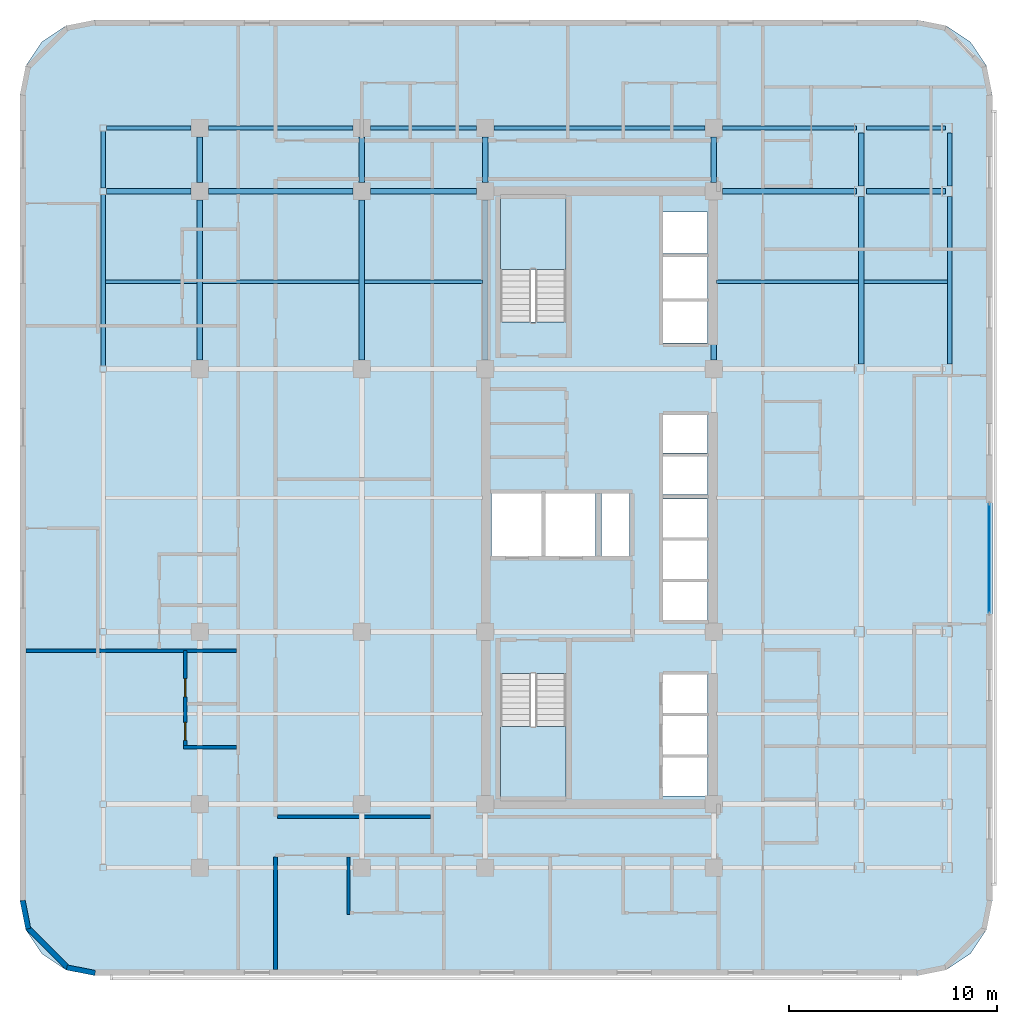
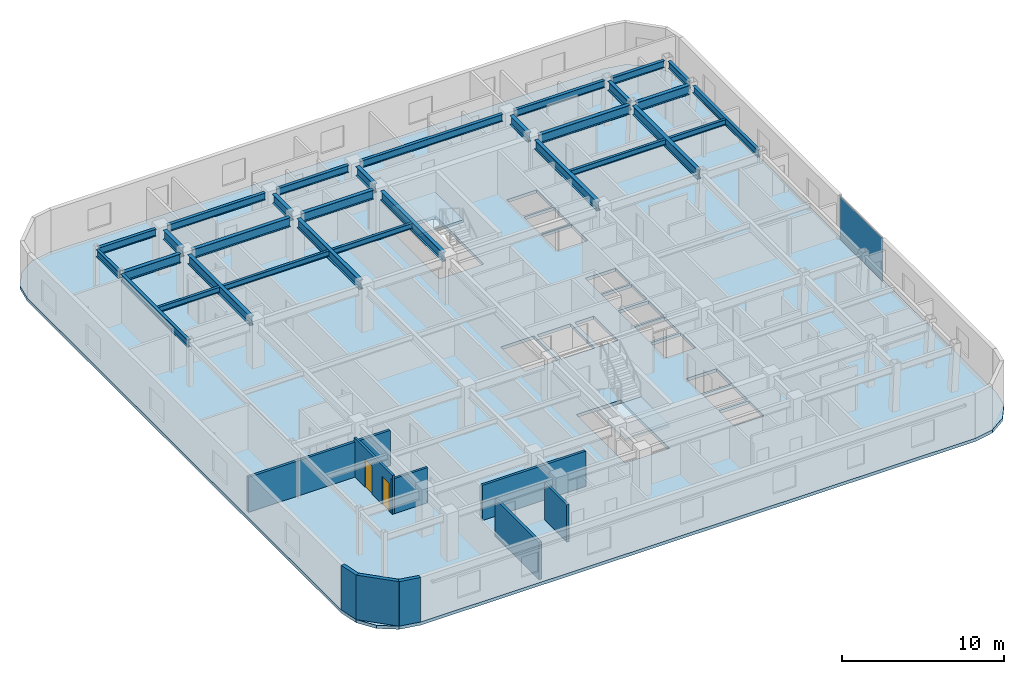
# One storey, part 6 of 15: 30 beams, 9 walls, 3 slabs, 2 doors, 1 plate, 2 openings, 3 elements without a shape of their own.
"""IFC4 building model written with IfcOpenShell, lengths in metres."""

from ifc_helpers import new_model, si_unit, direction, frame, frame_2d, origin, origin_2d, place, context, subcontext, project, spatial, polyline, rectangle, i_section, outline, extrude, material, layer, layer_set, material_profile, profile_set, type_object, element, fill, aggregate, save


model = new_model("IFC4")

# Units and contexts
model_context = context("Model", 3, precision=1e-05, world=origin(), true_north=direction((0.0, 1.0)))
body_context = subcontext(model_context, "Body", "Model", "MODEL_VIEW")
ifc_project = project(units=[si_unit("LENGTHUNIT", "METRE"), si_unit("AREAUNIT", "SQUARE_METRE"), si_unit("VOLUMEUNIT", "CUBIC_METRE"), si_unit("PLANEANGLEUNIT", "RADIAN"), si_unit("MASSUNIT", "GRAM", prefix="KILO")], contexts=[model_context])

# Site, building, storey
site_placement = place(None, origin())
site = spatial("IfcSite", under=ifc_project, at=site_placement, CompositionType="ELEMENT")
building_placement = place(site_placement, origin())
building = spatial("IfcBuilding", under=site, at=building_placement, Name="Ochreholt Gables", CompositionType="ELEMENT")
storey_placement = place(building_placement, frame((0.0, 0.0, 64.199951171875)))
storey = spatial("IfcBuildingStorey", under=building, at=storey_placement, Name="L16", CompositionType="ELEMENT", Elevation=64.199951171875)

# Beams
ifc_material_1 = material(Name="Steel CSA G40.21 350W", Category="steel")
ifc_material_profile_1 = material_profile(ifc_material_1, i_section(OverallWidth=0.256103515625, OverallDepth=0.693115234375, WebThickness=0.014404296875, FlangeThickness=0.023681640625, at=origin_2d()), Name="W690X170")
ifc_profile_set_1 = profile_set([ifc_material_profile_1], Name="Steel CSA G40.21 350W")
beam_type_1 = type_object("IfcBeamType", Name="BM-G-W690", PredefinedType="BEAM", material=ifc_profile_set_1)
beam_1_placement = place(storey_placement, frame((5.9521484375, 38.75, 3.013427734375), z_axis=(1.0, 0.0, 0.0), x_axis=(0.0, 1.0, 0.0)))
element("IfcBeam", 1, at=beam_1_placement, inside=storey, type_object=beam_type_1, Name="L16 Beam TBG-L16-WTW2-Y5", PredefinedType="BEAM", context=body_context, shape_type="SweptSolid", body=[
    extrude(i_section(OverallWidth=0.256103515625, OverallDepth=0.693115234375, WebThickness=0.014404296875, FlangeThickness=0.023681640625, at=origin_2d()), origin(), (0.0, 0.0, 1.0), 4.0732421875),
])
beam_2_placement = place(storey_placement, frame((10.87451171875, 38.75, 3.013427734375), z_axis=(1.0, 0.0, 0.0), x_axis=(0.0, 1.0, 0.0)))
element("IfcBeam", 2, at=beam_2_placement, inside=storey, type_object=beam_type_1, Name="L16 Beam TBG-L16-W2W3-Y5", PredefinedType="BEAM", context=body_context, shape_type="SweptSolid", body=[
    extrude(i_section(OverallWidth=0.256103515625, OverallDepth=0.693115234375, WebThickness=0.014404296875, FlangeThickness=0.023681640625, at=origin_2d()), origin(), (0.0, 0.0, 1.0), 6.950927734375),
])
beam_3_placement = place(storey_placement, frame((18.674560546875, 38.75, 3.013427734375), z_axis=(1.0, 0.0, 0.0), x_axis=(0.0, 1.0, 0.0)))
element("IfcBeam", 3, at=beam_3_placement, inside=storey, type_object=beam_type_1, Name="L16 Beam TBG-L16-W3C1-Y5", PredefinedType="BEAM", context=body_context, shape_type="SweptSolid", body=[
    extrude(i_section(OverallWidth=0.256103515625, OverallDepth=0.693115234375, WebThickness=0.014404296875, FlangeThickness=0.023681640625, at=origin_2d()), origin(), (0.0, 0.0, 1.0), 5.100830078125),
])
beam_4_placement = place(storey_placement, frame((35.62451171875, 38.75, 3.013427734375), z_axis=(1.0, 0.0, 0.0), x_axis=(0.0, 1.0, 0.0)))
element("IfcBeam", 4, at=beam_4_placement, inside=storey, type_object=beam_type_1, Name="L16 Beam TBG-L16-C2EM-Y5", PredefinedType="BEAM", context=body_context, shape_type="SweptSolid", body=[
    extrude(i_section(OverallWidth=0.256103515625, OverallDepth=0.693115234375, WebThickness=0.014404296875, FlangeThickness=0.023681640625, at=origin_2d()), origin(), (0.0, 0.0, 1.0), 6.434814453125),
])
beam_5_placement = place(storey_placement, frame((42.55859375, 38.75, 3.013427734375), z_axis=(1.0, 0.0, 0.0), x_axis=(0.0, 1.0, 0.0)))
element("IfcBeam", 5, at=beam_5_placement, inside=storey, type_object=beam_type_1, Name="L16 Beam TBG-L16-EMEE-Y5", PredefinedType="BEAM", context=body_context, shape_type="SweptSolid", body=[
    extrude(i_section(OverallWidth=0.256103515625, OverallDepth=0.693115234375, WebThickness=0.014404296875, FlangeThickness=0.023681640625, at=origin_2d()), origin(), (0.0, 0.0, 1.0), 3.781005859375),
])
beam_6_placement = place(storey_placement, frame((10.449951171875, 30.62451171875, 3.013427734375), z_axis=(0.0, 1.0, 0.0), x_axis=(-1.0, 0.0, 0.0)))
element("IfcBeam", 6, at=beam_6_placement, inside=storey, type_object=beam_type_1, Name="L16 Beam TBN-L16-W2-Y4Y5", PredefinedType="BEAM", context=body_context, shape_type="SweptSolid", body=[
    extrude(i_section(OverallWidth=0.256103515625, OverallDepth=0.693115234375, WebThickness=0.014404296875, FlangeThickness=0.023681640625, at=origin_2d()), origin(), (0.0, 0.0, 1.0), 7.700927734375),
])
beam_7_placement = place(storey_placement, frame((10.449951171875, 39.174560546875, 3.013427734375), z_axis=(0.0, 1.0, 0.0), x_axis=(-1.0, 0.0, 0.0)))
element("IfcBeam", 7, at=beam_7_placement, inside=storey, type_object=beam_type_1, Name="L16 Beam TBN-L16-W2-Y5Y6", PredefinedType="BEAM", context=body_context, shape_type="SweptSolid", body=[
    extrude(i_section(OverallWidth=0.256103515625, OverallDepth=0.693115234375, WebThickness=0.014404296875, FlangeThickness=0.023681640625, at=origin_2d()), origin(), (0.0, 0.0, 1.0), 2.200927734375),
])
beam_8_placement = place(storey_placement, frame((18.25, 30.62451171875, 3.013427734375), z_axis=(0.0, 1.0, 0.0), x_axis=(-1.0, 0.0, 0.0)))
element("IfcBeam", 8, at=beam_8_placement, inside=storey, type_object=beam_type_1, Name="L16 Beam TBN-L16-W3-Y4Y5", PredefinedType="BEAM", context=body_context, shape_type="SweptSolid", body=[
    extrude(i_section(OverallWidth=0.256103515625, OverallDepth=0.693115234375, WebThickness=0.014404296875, FlangeThickness=0.023681640625, at=origin_2d()), origin(), (0.0, 0.0, 1.0), 7.700927734375),
])
beam_9_placement = place(storey_placement, frame((18.25, 39.174560546875, 3.013427734375), z_axis=(0.0, 1.0, 0.0), x_axis=(-1.0, 0.0, 0.0)))
element("IfcBeam", 9, at=beam_9_placement, inside=storey, type_object=beam_type_1, Name="L16 Beam TBN-L16-W3-Y5Y6", PredefinedType="BEAM", context=body_context, shape_type="SweptSolid", body=[
    extrude(i_section(OverallWidth=0.256103515625, OverallDepth=0.693115234375, WebThickness=0.014404296875, FlangeThickness=0.023681640625, at=origin_2d()), origin(), (0.0, 0.0, 1.0), 2.200927734375),
])
beam_10_placement = place(storey_placement, frame((24.199951171875, 30.62451171875, 3.013427734375), z_axis=(0.0, 1.0, 0.0), x_axis=(-1.0, 0.0, 0.0)))
element("IfcBeam", 10, at=beam_10_placement, inside=storey, type_object=beam_type_1, Name="L16 Beam TBN-L16-C1-Y4Y5", PredefinedType="BEAM", context=body_context, shape_type="SweptSolid", body=[
    extrude(i_section(OverallWidth=0.256103515625, OverallDepth=0.693115234375, WebThickness=0.014404296875, FlangeThickness=0.023681640625, at=origin_2d()), origin(), (0.0, 0.0, 1.0), 7.700927734375),
])
beam_11_placement = place(storey_placement, frame((24.199951171875, 39.174560546875, 3.013427734375), z_axis=(0.0, 1.0, 0.0), x_axis=(-1.0, 0.0, 0.0)))
element("IfcBeam", 11, at=beam_11_placement, inside=storey, type_object=beam_type_1, Name="L16 Beam TBN-L16-C1-Y5Y6", PredefinedType="BEAM", context=body_context, shape_type="SweptSolid", body=[
    extrude(i_section(OverallWidth=0.256103515625, OverallDepth=0.693115234375, WebThickness=0.014404296875, FlangeThickness=0.023681640625, at=origin_2d()), origin(), (0.0, 0.0, 1.0), 2.200927734375),
])
beam_12_placement = place(storey_placement, frame((35.199951171875, 30.62451171875, 3.013427734375), z_axis=(0.0, 1.0, 0.0), x_axis=(-1.0, 0.0, 0.0)))
element("IfcBeam", 12, at=beam_12_placement, inside=storey, type_object=beam_type_1, Name="L16 Beam TBN-L16-C2-Y4Y5", PredefinedType="BEAM", context=body_context, shape_type="SweptSolid", body=[
    extrude(i_section(OverallWidth=0.256103515625, OverallDepth=0.693115234375, WebThickness=0.014404296875, FlangeThickness=0.023681640625, at=origin_2d()), origin(), (0.0, 0.0, 1.0), 7.700927734375),
])
beam_13_placement = place(storey_placement, frame((35.199951171875, 39.174560546875, 3.013427734375), z_axis=(0.0, 1.0, 0.0), x_axis=(-1.0, 0.0, 0.0)))
element("IfcBeam", 13, at=beam_13_placement, inside=storey, type_object=beam_type_1, Name="L16 Beam TBN-L16-C2-Y5Y6", PredefinedType="BEAM", context=body_context, shape_type="SweptSolid", body=[
    extrude(i_section(OverallWidth=0.256103515625, OverallDepth=0.693115234375, WebThickness=0.014404296875, FlangeThickness=0.023681640625, at=origin_2d()), origin(), (0.0, 0.0, 1.0), 2.200927734375),
])
beam_14_placement = place(storey_placement, frame((42.291748046875, 30.44970703125, 3.013427734375), z_axis=(0.0, 1.0, 0.0), x_axis=(-1.0, 0.0, 0.0)))
element("IfcBeam", 14, at=beam_14_placement, inside=storey, type_object=beam_type_1, Name="L16 Beam TBN-L16-EM-Y4Y5", PredefinedType="BEAM", context=body_context, shape_type="SweptSolid", body=[
    extrude(i_section(OverallWidth=0.256103515625, OverallDepth=0.693115234375, WebThickness=0.014404296875, FlangeThickness=0.023681640625, at=origin_2d()), origin(), (0.0, 0.0, 1.0), 8.05078125),
])
beam_15_placement = place(storey_placement, frame((42.291748046875, 38.99951171875, 3.013427734375), z_axis=(0.0, 1.0, 0.0), x_axis=(-1.0, 0.0, 0.0)))
element("IfcBeam", 15, at=beam_15_placement, inside=storey, type_object=beam_type_1, Name="L16 Beam TBN-L16-EM-Y5Y6", PredefinedType="BEAM", context=body_context, shape_type="SweptSolid", body=[
    extrude(i_section(OverallWidth=0.256103515625, OverallDepth=0.693115234375, WebThickness=0.014404296875, FlangeThickness=0.023681640625, at=origin_2d()), origin(), (0.0, 0.0, 1.0), 2.55078125),
])
ifc_material_profile_2 = material_profile(ifc_material_1, i_section(OverallWidth=0.178955078125, OverallDepth=0.409912109375, WebThickness=0.0087890625, FlangeThickness=0.014404296875, at=origin_2d()), Name="W410X67")
ifc_profile_set_2 = profile_set([ifc_material_profile_2], Name="Steel CSA G40.21 350W")
beam_type_2 = type_object("IfcBeamType", Name="BM-J-W410", PredefinedType="JOIST", material=ifc_profile_set_2)
beam_16_placement = place(storey_placement, frame((5.904052734375, 34.39990234375, 3.155029296875), z_axis=(1.0, 0.0, 0.0), x_axis=(0.0, 1.0, 0.0)))
element("IfcBeam", 16, at=beam_16_placement, inside=storey, type_object=beam_type_2, Name="L16 Beam TBJ-L16-J3-WTW2", PredefinedType="JOIST", context=body_context, shape_type="SweptSolid", body=[
    extrude(i_section(OverallWidth=0.178955078125, OverallDepth=0.409912109375, WebThickness=0.0087890625, FlangeThickness=0.014404296875, at=origin_2d()), origin(), (0.0, 0.0, 1.0), 4.41845703125),
])
beam_17_placement = place(storey_placement, frame((10.57763671875, 34.39990234375, 3.155029296875), z_axis=(1.0, 0.0, 0.0), x_axis=(0.0, 1.0, 0.0)))
element("IfcBeam", 17, at=beam_17_placement, inside=storey, type_object=beam_type_2, Name="L16 Beam TBJ-L16-J3-W2W3", PredefinedType="JOIST", context=body_context, shape_type="SweptSolid", body=[
    extrude(i_section(OverallWidth=0.178955078125, OverallDepth=0.409912109375, WebThickness=0.0087890625, FlangeThickness=0.014404296875, at=origin_2d()), origin(), (0.0, 0.0, 1.0), 7.544677734375),
])
beam_18_placement = place(storey_placement, frame((18.377685546875, 34.39990234375, 3.155029296875), z_axis=(1.0, 0.0, 0.0), x_axis=(0.0, 1.0, 0.0)))
element("IfcBeam", 18, at=beam_18_placement, inside=storey, type_object=beam_type_2, Name="L16 Beam TBJ-L16-J3-W3C1", PredefinedType="JOIST", context=body_context, shape_type="SweptSolid", body=[
    extrude(i_section(OverallWidth=0.178955078125, OverallDepth=0.409912109375, WebThickness=0.0087890625, FlangeThickness=0.014404296875, at=origin_2d()), origin(), (0.0, 0.0, 1.0), 5.69482421875),
])
beam_19_placement = place(storey_placement, frame((35.32763671875, 34.39990234375, 3.155029296875), z_axis=(1.0, 0.0, 0.0), x_axis=(0.0, 1.0, 0.0)))
element("IfcBeam", 19, at=beam_19_placement, inside=storey, type_object=beam_type_2, Name="L16 Beam TBJ-L16-J3-C2EM", PredefinedType="JOIST", context=body_context, shape_type="SweptSolid", body=[
    extrude(i_section(OverallWidth=0.178955078125, OverallDepth=0.409912109375, WebThickness=0.0087890625, FlangeThickness=0.014404296875, at=origin_2d()), origin(), (0.0, 0.0, 1.0), 6.836669921875),
])
beam_20_placement = place(storey_placement, frame((42.41943359375, 34.39990234375, 3.155029296875), z_axis=(1.0, 0.0, 0.0), x_axis=(0.0, 1.0, 0.0)))
element("IfcBeam", 20, at=beam_20_placement, inside=storey, type_object=beam_type_2, Name="L16 Beam TBJ-L16-J3-EMEE", PredefinedType="JOIST", context=body_context, shape_type="SweptSolid", body=[
    extrude(i_section(OverallWidth=0.178955078125, OverallDepth=0.409912109375, WebThickness=0.0087890625, FlangeThickness=0.014404296875, at=origin_2d()), origin(), (0.0, 0.0, 1.0), 4.037353515625),
])
ifc_material_profile_3 = material_profile(ifc_material_1, i_section(OverallWidth=0.208984375, OverallDepth=0.532958984375, WebThickness=0.01025390625, FlangeThickness=0.015625, at=origin_2d()), Name="W530X92")
ifc_profile_set_3 = profile_set([ifc_material_profile_3], Name="Steel CSA G40.21 350W")
beam_type_3 = type_object("IfcBeamType", Name="BM-SP-W530B", PredefinedType="SPANDREL", material=ifc_profile_set_3)
beam_21_placement = place(storey_placement, frame((5.9521484375, 41.800048828125, 3.093505859375), z_axis=(1.0, 0.0, 0.0), x_axis=(0.0, 1.0, 0.0)))
element("IfcBeam", 21, at=beam_21_placement, inside=storey, type_object=beam_type_3, Name="L16 Beam TBG-L16-WTW2-Y6", PredefinedType="SPANDREL", context=body_context, shape_type="SweptSolid", body=[
    extrude(i_section(OverallWidth=0.208984375, OverallDepth=0.532958984375, WebThickness=0.01025390625, FlangeThickness=0.015625, at=origin_2d()), origin(), (0.0, 0.0, 1.0), 4.0732421875),
])
beam_22_placement = place(storey_placement, frame((10.87451171875, 41.800048828125, 3.093505859375), z_axis=(1.0, 0.0, 0.0), x_axis=(0.0, 1.0, 0.0)))
element("IfcBeam", 22, at=beam_22_placement, inside=storey, type_object=beam_type_3, Name="L16 Beam TBG-L16-W2W3-Y6", PredefinedType="SPANDREL", context=body_context, shape_type="SweptSolid", body=[
    extrude(i_section(OverallWidth=0.208984375, OverallDepth=0.532958984375, WebThickness=0.01025390625, FlangeThickness=0.015625, at=origin_2d()), origin(), (0.0, 0.0, 1.0), 6.950927734375),
])
beam_23_placement = place(storey_placement, frame((18.674560546875, 41.800048828125, 3.093505859375), z_axis=(1.0, 0.0, 0.0), x_axis=(0.0, 1.0, 0.0)))
element("IfcBeam", 23, at=beam_23_placement, inside=storey, type_object=beam_type_3, Name="L16 Beam TBG-L16-W3C1-Y6", PredefinedType="SPANDREL", context=body_context, shape_type="SweptSolid", body=[
    extrude(i_section(OverallWidth=0.208984375, OverallDepth=0.532958984375, WebThickness=0.01025390625, FlangeThickness=0.015625, at=origin_2d()), origin(), (0.0, 0.0, 1.0), 5.100830078125),
])
beam_24_placement = place(storey_placement, frame((24.62451171875, 41.800048828125, 3.093505859375), z_axis=(1.0, 0.0, 0.0), x_axis=(0.0, 1.0, 0.0)))
element("IfcBeam", 24, at=beam_24_placement, inside=storey, type_object=beam_type_3, Name="L16 Beam TBG-L16-C1C2-Y6", PredefinedType="SPANDREL", context=body_context, shape_type="SweptSolid", body=[
    extrude(i_section(OverallWidth=0.208984375, OverallDepth=0.532958984375, WebThickness=0.01025390625, FlangeThickness=0.015625, at=origin_2d()), origin(), (0.0, 0.0, 1.0), 10.15087890625),
])
beam_25_placement = place(storey_placement, frame((35.62451171875, 41.800048828125, 3.093505859375), z_axis=(1.0, 0.0, 0.0), x_axis=(0.0, 1.0, 0.0)))
element("IfcBeam", 25, at=beam_25_placement, inside=storey, type_object=beam_type_3, Name="L16 Beam TBG-L16-C2EM-Y6", PredefinedType="SPANDREL", context=body_context, shape_type="SweptSolid", body=[
    extrude(i_section(OverallWidth=0.208984375, OverallDepth=0.532958984375, WebThickness=0.01025390625, FlangeThickness=0.015625, at=origin_2d()), origin(), (0.0, 0.0, 1.0), 6.434814453125),
])
beam_26_placement = place(storey_placement, frame((42.55859375, 41.800048828125, 3.093505859375), z_axis=(1.0, 0.0, 0.0), x_axis=(0.0, 1.0, 0.0)))
element("IfcBeam", 26, at=beam_26_placement, inside=storey, type_object=beam_type_3, Name="L16 Beam TBG-L16-EMEE-Y6", PredefinedType="SPANDREL", context=body_context, shape_type="SweptSolid", body=[
    extrude(i_section(OverallWidth=0.208984375, OverallDepth=0.532958984375, WebThickness=0.01025390625, FlangeThickness=0.015625, at=origin_2d()), origin(), (0.0, 0.0, 1.0), 3.781005859375),
])
beam_27_placement = place(storey_placement, frame((5.800048828125, 30.35205078125, 3.093505859375), z_axis=(0.0, 1.0, 0.0), x_axis=(-1.0, 0.0, 0.0)))
element("IfcBeam", 27, at=beam_27_placement, inside=storey, type_object=beam_type_3, Name="L16 Beam TBN-L16-WT-Y4Y5", PredefinedType="SPANDREL", context=body_context, shape_type="SweptSolid", body=[
    extrude(i_section(OverallWidth=0.208984375, OverallDepth=0.532958984375, WebThickness=0.01025390625, FlangeThickness=0.015625, at=origin_2d()), origin(), (0.0, 0.0, 1.0), 8.245849609375),
])
beam_28_placement = place(storey_placement, frame((5.800048828125, 38.902099609375, 3.093505859375), z_axis=(0.0, 1.0, 0.0), x_axis=(-1.0, 0.0, 0.0)))
element("IfcBeam", 28, at=beam_28_placement, inside=storey, type_object=beam_type_3, Name="L16 Beam TBN-L16-WT-Y5Y6", PredefinedType="SPANDREL", context=body_context, shape_type="SweptSolid", body=[
    extrude(i_section(OverallWidth=0.208984375, OverallDepth=0.532958984375, WebThickness=0.01025390625, FlangeThickness=0.015625, at=origin_2d()), origin(), (0.0, 0.0, 1.0), 2.745849609375),
])
beam_29_placement = place(storey_placement, frame((46.560791015625, 30.44970703125, 3.093505859375), z_axis=(0.0, 1.0, 0.0), x_axis=(-1.0, 0.0, 0.0)))
element("IfcBeam", 29, at=beam_29_placement, inside=storey, type_object=beam_type_3, Name="L16 Beam TBN-L16-EE-Y4Y5", PredefinedType="SPANDREL", context=body_context, shape_type="SweptSolid", body=[
    extrude(i_section(OverallWidth=0.208984375, OverallDepth=0.532958984375, WebThickness=0.01025390625, FlangeThickness=0.015625, at=origin_2d()), origin(), (0.0, 0.0, 1.0), 8.05078125),
])
beam_30_placement = place(storey_placement, frame((46.560791015625, 38.99951171875, 3.093505859375), z_axis=(0.0, 1.0, 0.0), x_axis=(-1.0, 0.0, 0.0)))
element("IfcBeam", 30, at=beam_30_placement, inside=storey, type_object=beam_type_3, Name="L16 Beam TBN-L16-EE-Y5Y6", PredefinedType="SPANDREL", context=body_context, shape_type="SweptSolid", body=[
    extrude(i_section(OverallWidth=0.208984375, OverallDepth=0.532958984375, WebThickness=0.01025390625, FlangeThickness=0.015625, at=origin_2d()), origin(), (0.0, 0.0, 1.0), 2.55078125),
])

# Curtain wall, plate
ifc_material_2 = material(Name="Unitised Aluminium and Triple Glazing", Category="aluminium")
ifc_layer_1 = layer(ifc_material_2, 0.179931640625, Name="Unitised Aluminium and Triple Glazing")
ifc_layer_set_1 = layer_set([ifc_layer_1], Name="Unitised Aluminium and Triple Glazing")
curtain_wall_type = type_object("IfcCurtainWallType", Name="CW-SYS2", PredefinedType="NOTDEFINED", material=ifc_layer_set_1)
curtain_wall_placement = place(storey_placement, origin())
curtain_wall = element("IfcCurtainWall", 31, at=curtain_wall_placement, inside=storey, type_object=curtain_wall_type, Name="L16 East Unitised Curtain Wall", PredefinedType="NOTDEFINED")
ifc_material_3 = material(Name="Triple Low-E Insulating Glass", Category="glass")
ifc_layer_2 = layer(ifc_material_3, 0.031982421875, Name="Triple Low-E Insulating Glass")
ifc_layer_set_2 = layer_set([ifc_layer_2], Name="Triple Low-E Insulating Glass")
plate_type = type_object("IfcPlateType", Name="CW-PNL-32", PredefinedType="CURTAIN_PANEL", material=ifc_layer_set_2)
plate_placement = place(storey_placement, frame((48.455078125, 21.074951171875, 0.06494140625), z_axis=(0.0, 0.0, 1.0), x_axis=(0.0, 1.0, 0.0)))
plate = element("IfcPlate", 32, at=plate_placement, type_object=plate_type, Name="CW-2 panel 1.1", PredefinedType="CURTAIN_PANEL", context=body_context, shape_type="SweptSolid", body=[
    extrude(rectangle(XDim=5.219970703125, YDim=0.031982421875, at=origin_2d()), origin(), (0.0, 0.0, 1.0), 3.22998046875),
])
aggregate(curtain_wall, [plate])

# Stair, slab
ifc_material_4 = material(Name="Concrete 40 MPa", Category="concrete")
stair_type_1 = type_object("IfcStairType", Name="STAIR-CORE-ST-1", PredefinedType="HALF_TURN_STAIR", material=ifc_material_4)
stair_1_placement = place(storey_placement, origin())
stair_1 = element("IfcStair", 33, at=stair_1_placement, inside=storey, type_object=stair_type_1, Name="L16 Core Exit Stair 1", PredefinedType="HALF_TURN_STAIR")
ifc_layer_3 = layer(ifc_material_4, 0.199951171875, Name="Concrete 40 MPa")
ifc_layer_set_3 = layer_set([ifc_layer_3], Name="Concrete 40 MPa")
slab_type_1 = type_object("IfcSlabType", Name="LANDING-RC200", PredefinedType="LANDING", material=ifc_layer_set_3)
slab_1_placement = place(storey_placement, frame((0.0, 0.0, 1.60009765625)))
slab_1 = element("IfcSlab", 34, at=slab_1_placement, type_object=slab_type_1, Name="ST-1 landing 1", PredefinedType="LANDING", context=body_context, shape_type="SweptSolid", body=[
    extrude(outline(polyline([(24.919921875, 13.001953125), (24.919921875, 9.52001953125), (28.080078125, 9.52001953125), (28.080078125, 13.001953125), (24.919921875, 13.001953125)])), origin(), (0.0, 0.0, 1.0), 0.199951171875),
])
aggregate(stair_1, [slab_1])

stair_type_2 = type_object("IfcStairType", Name="STAIR-CORE-ST-2", PredefinedType="HALF_TURN_STAIR", material=ifc_material_4)
stair_2_placement = place(storey_placement, origin())
stair_2 = element("IfcStair", 35, at=stair_2_placement, inside=storey, type_object=stair_type_2, Name="L16 Core Exit Stair 2", PredefinedType="HALF_TURN_STAIR")
slab_2_placement = place(storey_placement, frame((0.0, 0.0, 1.60009765625)))
slab_2 = element("IfcSlab", 36, at=slab_2_placement, type_object=slab_type_1, Name="ST-2 landing 1", PredefinedType="LANDING", context=body_context, shape_type="SweptSolid", body=[
    extrude(outline(polyline([(28.080078125, 34.998046875), (28.080078125, 38.47998046875), (24.919921875, 38.47998046875), (24.919921875, 34.998046875), (28.080078125, 34.998046875)])), origin(), (0.0, 0.0, 1.0), 0.199951171875),
])
aggregate(stair_2, [slab_2])

# Slab
ifc_layer_4 = layer(ifc_material_4, 0.239990234375, Name="Concrete 40 MPa")
ifc_layer_set_4 = layer_set([ifc_layer_4], Name="Concrete 40 MPa")
slab_type_2 = type_object("IfcSlabType", Name="SLAB-TWR-240", PredefinedType="FLOOR", material=ifc_layer_set_4)
slab_3_placement = place(storey_placement, frame((0.0, 0.0, -0.239990234375)))
element("IfcSlab", 37, at=slab_3_placement, inside=storey, type_object=slab_type_2, Name="L16 Structural Floor Slab", PredefinedType="FLOOR", context=body_context, shape_type="SweptSolid", body=[
    extrude(outline(polyline([(1.800048828125, 4.60009765625), (2.073974609375, 3.222412109375), (2.8544921875, 2.054443359375), (4.022216796875, 1.27392578125), (5.39990234375, 1.0), (45.0, 1.0), (46.377685546875, 1.27392578125), (47.545654296875, 2.054443359375), (48.325927734375, 3.222412109375), (48.60009765625, 4.60009765625), (48.60009765625, 43.39990234375), (48.325927734375, 44.777587890625), (47.545654296875, 45.945556640625), (46.377685546875, 46.72607421875), (45.0, 47.0), (5.39990234375, 47.0), (4.022216796875, 46.72607421875), (2.8544921875, 45.945556640625), (2.073974609375, 44.777587890625), (1.800048828125, 43.39990234375), (1.800048828125, 4.60009765625)]), holes=[polyline([(24.919921875, 15.539306640625), (24.919921875, 9.52001953125), (28.080078125, 9.52001953125), (28.080078125, 15.539306640625), (24.919921875, 15.539306640625)]), polyline([(28.080078125, 32.460693359375), (28.080078125, 38.47998046875), (24.919921875, 38.47998046875), (24.919921875, 32.460693359375), (28.080078125, 32.460693359375)]), polyline([(24.5, 21.199951171875), (26.89990234375, 21.199951171875), (26.89990234375, 24.199951171875), (24.5, 24.199951171875), (24.5, 21.199951171875)]), polyline([(27.10009765625, 21.199951171875), (29.5, 21.199951171875), (29.5, 24.199951171875), (27.10009765625, 24.199951171875), (27.10009765625, 21.199951171875)]), polyline([(32.75, 9.64990234375), (34.89990234375, 9.64990234375), (34.89990234375, 11.5), (32.75, 11.5), (32.75, 9.64990234375)]), polyline([(32.75, 11.64990234375), (34.89990234375, 11.64990234375), (34.89990234375, 13.5), (32.75, 13.5), (32.75, 11.64990234375)]), polyline([(32.75, 13.64990234375), (34.89990234375, 13.64990234375), (34.89990234375, 15.5), (32.75, 15.5), (32.75, 13.64990234375)]), polyline([(32.75, 18.10009765625), (34.89990234375, 18.10009765625), (34.89990234375, 19.949951171875), (32.75, 19.949951171875), (32.75, 18.10009765625)]), polyline([(32.75, 20.10009765625), (34.89990234375, 20.10009765625), (34.89990234375, 21.949951171875), (32.75, 21.949951171875), (32.75, 20.10009765625)]), polyline([(32.75, 22.10009765625), (34.89990234375, 22.10009765625), (34.89990234375, 23.949951171875), (32.75, 23.949951171875), (32.75, 22.10009765625)]), polyline([(32.75, 24.14990234375), (34.89990234375, 24.14990234375), (34.89990234375, 26.0), (32.75, 26.0), (32.75, 24.14990234375)]), polyline([(32.75, 26.14990234375), (34.89990234375, 26.14990234375), (34.89990234375, 28.0), (32.75, 28.0), (32.75, 26.14990234375)]), polyline([(32.75, 31.449951171875), (34.89990234375, 31.449951171875), (34.89990234375, 33.449951171875), (32.75, 33.449951171875), (32.75, 31.449951171875)]), polyline([(32.75, 33.60009765625), (34.89990234375, 33.60009765625), (34.89990234375, 35.60009765625), (32.75, 35.60009765625), (32.75, 33.60009765625)]), polyline([(32.75, 35.75), (34.89990234375, 35.75), (34.89990234375, 37.75), (32.75, 37.75), (32.75, 35.75)]), polyline([(29.800048828125, 21.199951171875), (31.14990234375, 21.199951171875), (31.14990234375, 24.199951171875), (29.800048828125, 24.199951171875), (29.800048828125, 21.199951171875)])]), origin(), (0.0, 0.0, 1.0), 0.239990234375),
])

# Walls
ifc_material_5 = material(Name="Precast concrete 40 MPa", Category="concrete")
ifc_layer_5 = layer(ifc_material_5, 0.25, Name="Precast concrete 40 MPa")
ifc_layer_set_5 = layer_set([ifc_layer_5], Name="Precast concrete 40 MPa")
wall_type_1 = type_object("IfcWallType", Name="WALL-EXT-CNR", PredefinedType="SOLIDWALL", material=ifc_layer_set_5)
wall_1_placement = place(storey_placement, frame((1.92431640625, 4.616455078125, 0.0), z_axis=(0.0, 0.0, 1.0), x_axis=(0.19496651342, -0.980809899341, 0.0)))
element("IfcWall", 38, at=wall_1_placement, inside=storey, type_object=wall_type_1, Name="L16 Rounded Corner Wall SW-1", PredefinedType="SOLIDWALL", context=body_context, shape_type="SweptSolid", body=[
    extrude(rectangle(XDim=1.388671875, YDim=0.25, at=frame_2d((0.6943359375, 0.0))), origin(), (0.0, 0.0, 1.0), 3.360107421875),
])
wall_2_placement = place(storey_placement, frame((2.16796875, 3.304931640625, 0.0), z_axis=(0.0, 0.0, 1.0), x_axis=(0.707106781187, -0.707106781187, 0.0)))
element("IfcWall", 39, at=wall_2_placement, inside=storey, type_object=wall_type_1, Name="L16 Rounded Corner Wall SW-2", PredefinedType="SOLIDWALL", context=body_context, shape_type="SweptSolid", body=[
    extrude(rectangle(XDim=2.7392578125, YDim=0.25, at=frame_2d((1.36962890625, 0.0))), origin(), (0.0, 0.0, 1.0), 3.360107421875),
])
wall_3_placement = place(storey_placement, frame((4.054443359375, 1.39501953125, 0.0), z_axis=(0.0, 0.0, 1.0), x_axis=(0.980809899341, -0.19496651342, 0.0)))
element("IfcWall", 40, at=wall_3_placement, inside=storey, type_object=wall_type_1, Name="L16 Rounded Corner Wall SW-3", PredefinedType="SOLIDWALL", context=body_context, shape_type="SweptSolid", body=[
    extrude(rectangle(XDim=1.388671875, YDim=0.25, at=frame_2d((0.6943359375, 0.0))), origin(), (0.0, 0.0, 1.0), 3.360107421875),
])
ifc_material_6 = material(Name="Fire-Rated Gypsum Acoustic Partition", Category="gypsum")
ifc_layer_6 = layer(ifc_material_6, 0.179931640625, Name="Fire-Rated Gypsum Acoustic Partition")
ifc_layer_set_6 = layer_set([ifc_layer_6], Name="Fire-Rated Gypsum Acoustic Partition")
wall_type_2 = type_object("IfcWallType", Name="WALL-INT-CR180", PredefinedType="STANDARD", material=ifc_layer_set_6)
wall_4_placement = place(storey_placement, frame((14.18994140625, 8.64990234375, 0.0), z_axis=(0.0, 0.0, 1.0), x_axis=(1.0, 0.0, 0.0)))
element("IfcWall", 41, at=wall_4_placement, inside=storey, type_object=wall_type_2, Name="L16 Interior Wall WI-C1S2W-L16", PredefinedType="STANDARD", context=body_context, shape_type="SweptSolid", body=[
    extrude(rectangle(XDim=7.3701171875, YDim=0.179931640625, at=frame_2d((3.68505859375, 0.0))), origin(), (0.0, 0.0, 1.0), 2.649169921875),
])
ifc_material_7 = material(Name="Double-Stud Acoustic Demising Wall", Category="gypsum")
ifc_layer_7 = layer(ifc_material_7, 0.179931640625, Name="Double-Stud Acoustic Demising Wall")
ifc_layer_set_7 = layer_set([ifc_layer_7], Name="Double-Stud Acoustic Demising Wall")
wall_type_3 = type_object("IfcWallType", Name="WALL-INT-DM180", PredefinedType="PARTITIONING", material=ifc_layer_set_7)
wall_5_placement = place(storey_placement, frame((14.10009765625, 1.2900390625, 0.0), z_axis=(0.0, 0.0, 1.0), x_axis=(0.0, 1.0, 0.0)))
element("IfcWall", 42, at=wall_5_placement, inside=storey, type_object=wall_type_3, Name="L16 Interior Wall WI-C1WSI-L16", PredefinedType="PARTITIONING", context=body_context, shape_type="SweptSolid", body=[
    extrude(rectangle(XDim=5.419921875, YDim=0.179931640625, at=frame_2d((2.7099609375, 0.0))), origin(), (0.0, 0.0, 1.0), 2.80908203125),
])
wall_6_placement = place(storey_placement, frame((2.090087890625, 16.639892578125, 0.0), z_axis=(0.0, 0.0, 1.0), x_axis=(1.0, 0.0, 0.0)))
element("IfcWall", 43, at=wall_6_placement, inside=storey, type_object=wall_type_3, Name="L16 Interior Wall WI-UDW2-L16", PredefinedType="PARTITIONING", context=body_context, shape_type="SweptSolid", body=[
    extrude(rectangle(XDim=10.119873046875, YDim=0.179931640625, at=frame_2d((5.06005859375, 0.0))), origin(), (0.0, 0.0, 1.0), 2.649169921875),
])
ifc_material_8 = material(Name="Moisture-Resistant Plumbing Chase Wall", Category="gypsum")
ifc_layer_8 = layer(ifc_material_8, 0.159912109375, Name="Moisture-Resistant Plumbing Chase Wall")
ifc_layer_set_8 = layer_set([ifc_layer_8], Name="Moisture-Resistant Plumbing Chase Wall")
wall_type_4 = type_object("IfcWallType", Name="WALL-INT-PL160", PredefinedType="PLUMBINGWALL", material=ifc_layer_set_8)
wall_7_placement = place(storey_placement, frame((9.679931640625, 12.0, 0.0), z_axis=(0.0, 0.0, 1.0), x_axis=(1.0, 0.0, 0.0)))
element("IfcWall", 44, at=wall_7_placement, inside=storey, type_object=wall_type_4, Name="L16 Interior Wall WU-L16W1-WYS", PredefinedType="PLUMBINGWALL", context=body_context, shape_type="SweptSolid", body=[
    extrude(rectangle(XDim=2.530029296875, YDim=0.159912109375, at=frame_2d((1.26513671875, 0.0))), origin(), (0.0, 0.0, 1.0), 2.649169921875),
])

# Wall, openings, doors
wall_8_placement = place(storey_placement, frame((9.760009765625, 11.909912109375, 0.0), z_axis=(0.0, 0.0, 1.0), x_axis=(0.0, 1.0, 0.0)))
wall_8 = element("IfcWall", 45, at=wall_8_placement, inside=storey, type_object=wall_type_4, Name="L16 Interior Wall WU-L16W1-WX", PredefinedType="PLUMBINGWALL", context=body_context, shape_type="SweptSolid", body=[
    extrude(rectangle(XDim=4.72998046875, YDim=0.159912109375, at=frame_2d((2.364990234375, 0.0))), origin(), (0.0, 0.0, 1.0), 2.93212890625),
])
opening_1_placement = place(wall_8_placement, frame((0.419921875, 0.0, 0.0)))
opening_1 = element("IfcOpeningElement", 46, at=opening_1_placement, cuts=wall_8, Name="Opening D-BT1", PredefinedType="OPENING", context=body_context, shape_type="SweptSolid", body=[
    extrude(rectangle(XDim=0.860107421875, YDim=2.1201171875, at=frame_2d((0.43017578125, 1.06005859375))), frame((0.0, 0.08984375, 0.0), z_axis=(0.0, -1.0, 0.0), x_axis=(1.0, 0.0, 0.0)), (0.0, 0.0, 1.0), 0.179931640625),
])
opening_2_placement = place(wall_8_placement, frame((2.512939453125, 0.0, 0.0)))
opening_2 = element("IfcOpeningElement", 47, at=opening_2_placement, cuts=wall_8, Name="Opening D-GN2", PredefinedType="OPENING", context=body_context, shape_type="SweptSolid", body=[
    extrude(rectangle(XDim=0.8798828125, YDim=2.1201171875, at=frame_2d((0.43994140625, 1.06005859375))), frame((0.0, 0.08984375, 0.0), z_axis=(0.0, -1.0, 0.0), x_axis=(1.0, 0.0, 0.0)), (0.0, 0.0, 1.0), 0.179931640625),
])
ifc_material_9 = material(Name="Engineered Oak Timber", Category="wood")
door_type_1 = type_object("IfcDoorType", Name="DR-INT-BTH860", OperationType="NOTDEFINED", PredefinedType="DOOR", material=ifc_material_9)
door_1_placement = place(opening_1_placement, origin())
door_1 = element("IfcDoor", 48, at=door_1_placement, inside=storey, type_object=door_type_1, Name="L16 Door D-U-L16W1-BTH", OperationType="SINGLE_SWING_LEFT", OverallHeight=2.1201171875, OverallWidth=0.860107421875, PredefinedType="DOOR", context=body_context, shape_type="SweptSolid", body=[
    extrude(rectangle(XDim=0.860107421875, YDim=2.1201171875, at=frame_2d((0.43017578125, 1.06005859375))), frame((0.0, 0.02490234375, 0.0), z_axis=(0.0, -1.0, 0.0), x_axis=(1.0, 0.0, 0.0)), (0.0, 0.0, 1.0), 0.050048828125),
])
fill(opening_1, door_1)
door_type_2 = type_object("IfcDoorType", Name="DR-INT-GEN880", OperationType="NOTDEFINED", PredefinedType="DOOR", material=ifc_material_9)
door_2_placement = place(opening_2_placement, origin())
door_2 = element("IfcDoor", 49, at=door_2_placement, inside=storey, type_object=door_type_2, Name="L16 Door D-U-L16W1-KIT", OperationType="SINGLE_SWING_RIGHT", OverallHeight=2.1201171875, OverallWidth=0.8798828125, PredefinedType="DOOR", context=body_context, shape_type="SweptSolid", body=[
    extrude(rectangle(XDim=0.8798828125, YDim=2.1201171875, at=frame_2d((0.43994140625, 1.06005859375))), frame((0.0, 0.02490234375, 0.0), z_axis=(0.0, -1.0, 0.0), x_axis=(1.0, 0.0, 0.0)), (0.0, 0.0, 1.0), 0.050048828125),
])
fill(opening_2, door_2)

# Wall
wall_9_placement = place(storey_placement, frame((17.611572265625, 3.949951171875, 0.0), z_axis=(0.0, 0.0, 1.0), x_axis=(0.0, 1.0, 0.0)))
element("IfcWall", 50, at=wall_9_placement, inside=storey, type_object=wall_type_4, Name="L16 Interior Wall WU-L16S1-FY", PredefinedType="PLUMBINGWALL", context=body_context, shape_type="SweptSolid", body=[
    extrude(rectangle(XDim=2.760009765625, YDim=0.159912109375, at=frame_2d((1.3798828125, 0.0))), origin(), (0.0, 0.0, 1.0), 2.80908203125),
])

save(model, "model.ifc")
